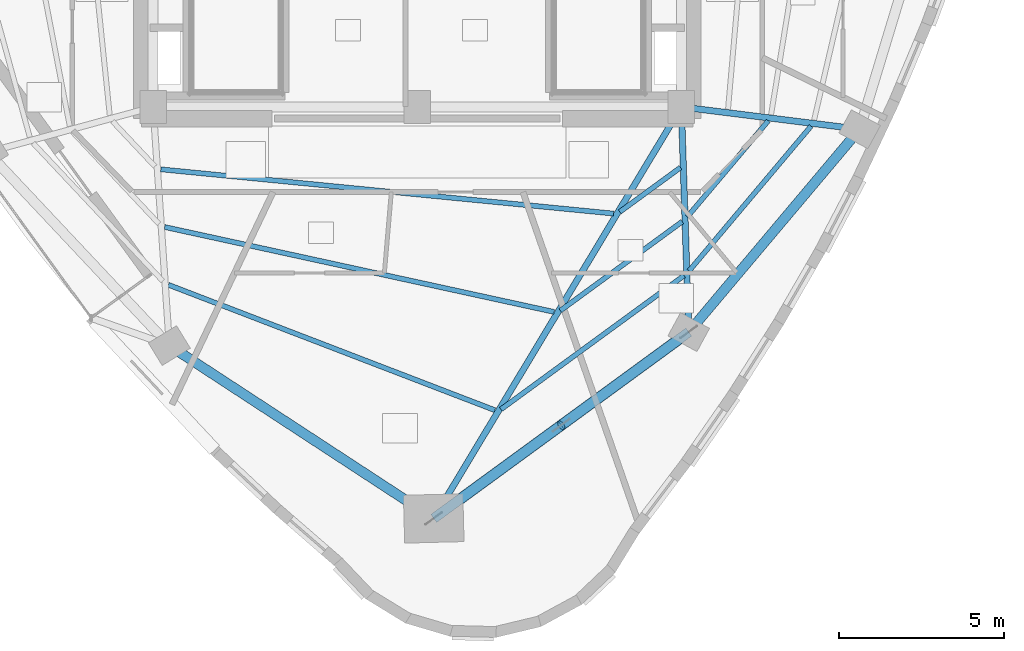
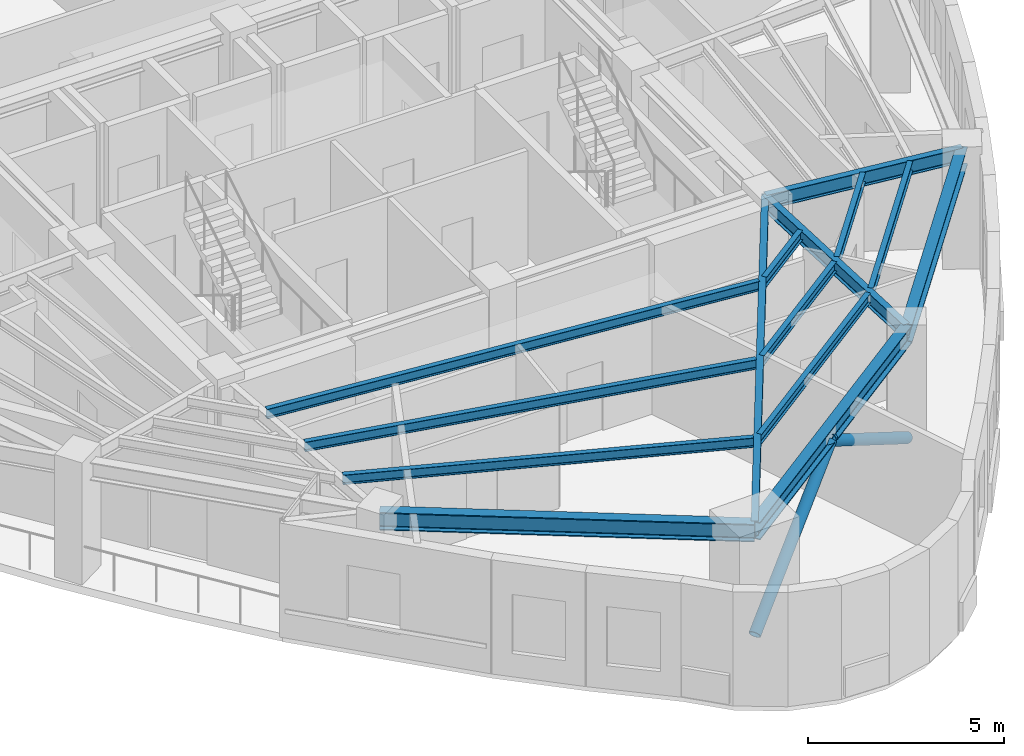
# One storey, part 3 of 13: 14 beams, 2 members.
"""IFC4 building model written with IfcOpenShell, lengths in metres."""

from ifc_helpers import new_model, si_unit, direction, frame, origin, origin_2d, place, context, subcontext, project, spatial, hollow_circle, i_section, extrude, material, material_profile, profile_set, type_object, element, save


model = new_model("IFC4")

# Units and contexts
model_context = context("Model", 3, precision=1e-05, world=origin(), true_north=direction((0.0, 1.0)))
body_context = subcontext(model_context, "Body", "Model", "MODEL_VIEW")
ifc_project = project(units=[si_unit("LENGTHUNIT", "METRE"), si_unit("AREAUNIT", "SQUARE_METRE"), si_unit("VOLUMEUNIT", "CUBIC_METRE"), si_unit("PLANEANGLEUNIT", "RADIAN"), si_unit("MASSUNIT", "GRAM", prefix="KILO")], contexts=[model_context])

# Site, building, storey
site_placement = place(None, origin())
site = spatial("IfcSite", under=ifc_project, at=site_placement, CompositionType="ELEMENT")
building_placement = place(site_placement, origin())
building = spatial("IfcBuilding", under=site, at=building_placement, Name="Ndelora Gate Hotel", CompositionType="ELEMENT")
storey_placement = place(building_placement, frame((0.0, 0.0, 228.35009765625)))
storey = spatial("IfcBuildingStorey", under=building, at=storey_placement, Name="L57", CompositionType="ELEMENT", Elevation=228.35009765625)

# Beams
ifc_material = material(Name="Steel S355", Category="steel")
ifc_material_profile_1 = material_profile(ifc_material, i_section(OverallWidth=0.14990234375, OverallDepth=0.300048828125, WebThickness=0.007080078125, FlangeThickness=0.0107421875, FilletRadius=0.014892578125, at=origin_2d()), Name="IPE 300")
ifc_profile_set_1 = profile_set([ifc_material_profile_1], Name="Steel S355")
beam_type_1 = type_object("IfcBeamType", Name="BM-JST-300", PredefinedType="JOIST", material=ifc_profile_set_1)
beam_1_placement = place(storey_placement, frame((-7.767578125, -8.489501953125, 3.39990234375), z_axis=(0.995253727902, -0.097314012848, 0.0), x_axis=(0.097314012848, 0.995253727902, 0.0)))
element("IfcBeam", 1, at=beam_1_placement, inside=storey, type_object=beam_type_1, Name="L57 Secondary Composite Floor Joist IN-4", PredefinedType="JOIST", context=body_context, shape_type="SweptSolid", body=[
    extrude(i_section(OverallWidth=0.14990234375, OverallDepth=0.300048828125, WebThickness=0.007080078125, FlangeThickness=0.0107421875, FilletRadius=0.014892578125, at=origin_2d()), origin(), (0.0, 0.0, 1.0), 13.7783203125),
])
beam_2_placement = place(storey_placement, frame((-7.651611328125, -10.236572265625, 3.39990234375), z_axis=(0.977032906758, -0.213088477191, 0.0), x_axis=(0.213088477191, 0.977032906758, 0.0)))
element("IfcBeam", 2, at=beam_2_placement, inside=storey, type_object=beam_type_1, Name="L57 Secondary Composite Floor Joist MID-4", PredefinedType="JOIST", context=body_context, shape_type="SweptSolid", body=[
    extrude(i_section(OverallWidth=0.14990234375, OverallDepth=0.300048828125, WebThickness=0.007080078125, FlangeThickness=0.0107421875, FilletRadius=0.014892578125, at=origin_2d()), origin(), (0.0, 0.0, 1.0), 12.075927734375),
])
beam_3_placement = place(storey_placement, frame((-7.5380859375, -11.98681640625, 3.39990234375), z_axis=(0.933489266504, -0.358605339227, 0.0), x_axis=(0.358605339227, 0.933489266504, 0.0)))
element("IfcBeam", 3, at=beam_3_placement, inside=storey, type_object=beam_type_1, Name="L57 Secondary Composite Floor Joist OUT-4", PredefinedType="JOIST", context=body_context, shape_type="SweptSolid", body=[
    extrude(i_section(OverallWidth=0.14990234375, OverallDepth=0.300048828125, WebThickness=0.007080078125, FlangeThickness=0.0107421875, FilletRadius=0.014892578125, at=origin_2d()), origin(), (0.0, 0.0, 1.0), 10.593994140625),
])
beam_4_placement = place(storey_placement, frame((6.134521484375, -9.77880859375, 3.39990234375), z_axis=(0.80739897839, 0.590005838696, 0.0), x_axis=(-0.590005838696, 0.80739897839, 0.0)))
element("IfcBeam", 4, at=beam_4_placement, inside=storey, type_object=beam_type_1, Name="L57 Secondary Composite Floor Joist IN-5", PredefinedType="JOIST", context=body_context, shape_type="SweptSolid", body=[
    extrude(i_section(OverallWidth=0.14990234375, OverallDepth=0.300048828125, WebThickness=0.007080078125, FlangeThickness=0.0107421875, FilletRadius=0.014892578125, at=origin_2d()), origin(), (0.0, 0.0, 1.0), 2.277587890625),
])
beam_5_placement = place(storey_placement, frame((4.33447265625, -12.77001953125, 3.39990234375), z_axis=(0.807439047151, 0.589951002318, 0.0), x_axis=(-0.589951002318, 0.807439047151, 0.0)))
element("IfcBeam", 5, at=beam_5_placement, inside=storey, type_object=beam_type_1, Name="L57 Secondary Composite Floor Joist MID-5", PredefinedType="JOIST", context=body_context, shape_type="SweptSolid", body=[
    extrude(i_section(OverallWidth=0.14990234375, OverallDepth=0.300048828125, WebThickness=0.007080078125, FlangeThickness=0.0107421875, FilletRadius=0.014892578125, at=origin_2d()), origin(), (0.0, 0.0, 1.0), 4.5732421875),
])
beam_6_placement = place(storey_placement, frame((2.5341796875, -15.761474609375, 3.39990234375), z_axis=(0.807430841486, 0.589962232874, 0.0), x_axis=(-0.589962232874, 0.807430841486, 0.0)))
element("IfcBeam", 6, at=beam_6_placement, inside=storey, type_object=beam_type_1, Name="L57 Secondary Composite Floor Joist OUT-5", PredefinedType="JOIST", context=body_context, shape_type="SweptSolid", body=[
    extrude(i_section(OverallWidth=0.14990234375, OverallDepth=0.300048828125, WebThickness=0.007080078125, FlangeThickness=0.0107421875, FilletRadius=0.014892578125, at=origin_2d()), origin(), (0.0, 0.0, 1.0), 6.869384765625),
])
beam_7_placement = place(storey_placement, frame((8.1796875, -9.9296875, 3.39990234375), z_axis=(0.644319387893, 0.764756514444, 0.0), x_axis=(-0.764756514444, 0.644319387893, 0.0)))
element("IfcBeam", 7, at=beam_7_placement, inside=storey, type_object=beam_type_1, Name="L57 Secondary Composite Floor Joist MID-6", PredefinedType="JOIST", context=body_context, shape_type="SweptSolid", body=[
    extrude(i_section(OverallWidth=0.14990234375, OverallDepth=0.300048828125, WebThickness=0.007080078125, FlangeThickness=0.0107421875, FilletRadius=0.014892578125, at=origin_2d()), origin(), (0.0, 0.0, 1.0), 3.806884765625),
])
beam_8_placement = place(storey_placement, frame((8.2333984375, -11.56640625, 3.39990234375), z_axis=(0.644324492463, 0.764752213735, 0.0), x_axis=(-0.764752213735, 0.644324492463, 0.0)))
element("IfcBeam", 8, at=beam_8_placement, inside=storey, type_object=beam_type_1, Name="L57 Secondary Composite Floor Joist OUT-6", PredefinedType="JOIST", context=body_context, shape_type="SweptSolid", body=[
    extrude(i_section(OverallWidth=0.14990234375, OverallDepth=0.300048828125, WebThickness=0.007080078125, FlangeThickness=0.0107421875, FilletRadius=0.014892578125, at=origin_2d()), origin(), (0.0, 0.0, 1.0), 5.735107421875),
])
ifc_material_profile_2 = material_profile(ifc_material, i_section(OverallWidth=0.18994140625, OverallDepth=0.449951171875, WebThickness=0.009521484375, FlangeThickness=0.0146484375, FilletRadius=0.02099609375, at=origin_2d()), Name="IPE 450")
ifc_profile_set_2 = profile_set([ifc_material_profile_2], Name="Steel S355")
beam_type_2 = type_object("IfcBeamType", Name="BM-RAD-450", PredefinedType="BEAM", material=ifc_profile_set_2)
beam_9_placement = place(storey_placement, frame((8.0, -6.60009765625, 3.324951171875), z_axis=(-0.515620753203, -0.856816922607, 0.0), x_axis=(0.856816922607, -0.515620753203, 0.0)))
element("IfcBeam", 9, at=beam_9_placement, inside=storey, type_object=beam_type_2, Name="L57 Radial Floor Girder 5", PredefinedType="BEAM", context=body_context, shape_type="SweptSolid", body=[
    extrude(i_section(OverallWidth=0.18994140625, OverallDepth=0.449951171875, WebThickness=0.009521484375, FlangeThickness=0.0146484375, FilletRadius=0.02099609375, at=origin_2d()), origin(), (0.0, 0.0, 1.0), 14.546875),
])
beam_10_placement = place(storey_placement, frame((8.0, -6.60009765625, 3.324951171875), z_axis=(0.032809705109, -0.999461616697, 0.0), x_axis=(0.999461616697, 0.032809705109, 0.0)))
element("IfcBeam", 10, at=beam_10_placement, inside=storey, type_object=beam_type_2, Name="L57 Radial Floor Girder 6", PredefinedType="BEAM", context=body_context, shape_type="SweptSolid", body=[
    extrude(i_section(OverallWidth=0.18994140625, OverallDepth=0.449951171875, WebThickness=0.009521484375, FlangeThickness=0.0146484375, FilletRadius=0.02099609375, at=origin_2d()), origin(), (0.0, 0.0, 1.0), 6.823486328125),
])
beam_11_placement = place(storey_placement, frame((8.0, -6.60009765625, 3.324951171875), z_axis=(0.992266830725, -0.124123070552, 0.0), x_axis=(0.124123070552, 0.992266830725, 0.0)))
element("IfcBeam", 11, at=beam_11_placement, inside=storey, type_object=beam_type_2, Name="L57 Radial Floor Girder 7", PredefinedType="BEAM", context=body_context, shape_type="SweptSolid", body=[
    extrude(i_section(OverallWidth=0.18994140625, OverallDepth=0.449951171875, WebThickness=0.009521484375, FlangeThickness=0.0146484375, FilletRadius=0.02099609375, at=origin_2d()), origin(), (0.0, 0.0, 1.0), 5.4423828125),
])
ifc_material_profile_3 = material_profile(ifc_material, i_section(OverallWidth=0.300048828125, OverallDepth=0.550048828125, WebThickness=0.014892578125, FlangeThickness=0.029052734375, FilletRadius=0.027099609375, at=origin_2d()), Name="HEB 550")
ifc_profile_set_3 = profile_set([ifc_material_profile_3], Name="Steel S355")
beam_type_3 = type_object("IfcBeamType", Name="BM-RING-550", PredefinedType="SPANDREL", material=ifc_profile_set_3)
beam_12_placement = place(storey_placement, frame((-7.50830078125, -13.828369140625, 3.27490234375), z_axis=(0.836963769915, -0.547258300851, 0.0), x_axis=(0.547258300851, 0.836963769915, 0.0)))
element("IfcBeam", 12, at=beam_12_placement, inside=storey, type_object=beam_type_3, Name="L57 Perimeter Spandrel Girder 4", PredefinedType="SPANDREL", context=body_context, shape_type="SweptSolid", body=[
    extrude(i_section(OverallWidth=0.300048828125, OverallDepth=0.550048828125, WebThickness=0.014892578125, FlangeThickness=0.029052734375, FilletRadius=0.027099609375, at=origin_2d()), origin(), (0.0, 0.0, 1.0), 9.5673828125),
])
beam_13_placement = place(storey_placement, frame((0.499267578125, -19.064208984375, 3.27490234375), z_axis=(0.807421980226, 0.58997436033, 0.0), x_axis=(-0.58997436033, 0.807421980226, 0.0)))
element("IfcBeam", 13, at=beam_13_placement, inside=storey, type_object=beam_type_3, Name="L57 Perimeter Spandrel Girder 5", PredefinedType="SPANDREL", context=body_context, shape_type="SweptSolid", body=[
    extrude(i_section(OverallWidth=0.300048828125, OverallDepth=0.550048828125, WebThickness=0.014892578125, FlangeThickness=0.029052734375, FilletRadius=0.027099609375, at=origin_2d()), origin(), (0.0, 0.0, 1.0), 9.56689453125),
])
beam_14_placement = place(storey_placement, frame((8.223876953125, -13.419921875, 3.27490234375), z_axis=(0.644308845181, 0.764765396721, 0.0), x_axis=(-0.764765396721, 0.644308845181, 0.0)))
element("IfcBeam", 14, at=beam_14_placement, inside=storey, type_object=beam_type_3, Name="L57 Perimeter Spandrel Girder 6", PredefinedType="SPANDREL", context=body_context, shape_type="SweptSolid", body=[
    extrude(i_section(OverallWidth=0.300048828125, OverallDepth=0.550048828125, WebThickness=0.014892578125, FlangeThickness=0.029052734375, FilletRadius=0.027099609375, at=origin_2d()), origin(), (0.0, 0.0, 1.0), 8.0341796875),
])

# Members
ifc_material_profile_4 = material_profile(ifc_material, hollow_circle(Radius=0.161865234375, WallThickness=0.01611328125, at=origin_2d()), Name="CHS 323.9x16")
ifc_profile_set_4 = profile_set([ifc_material_profile_4], Name="Steel S355")
member_type = type_object("IfcMemberType", Name="MB-TUBE-324", PredefinedType="BRACE", material=ifc_profile_set_4)
for number, where, z_axis, x_axis, name in (
    (15, (0.499267578125, -19.064208984375, 0.02001953125), (0.685309419613, 0.500769714964, 0.528753904917), (-0.58999099658, 0.807409824039, 0.0), "L57 Perimeter Braced-Tube Diagonal 5A"),
    (16, (8.223876953125, -13.419921875, 0.02001953125), (-0.685324285825, -0.500737257892, 0.528765375018), (0.58995772333, -0.807434136437, 0.0), "L57 Perimeter Braced-Tube Diagonal 5B"),
):
    element("IfcMember", number, at=place(storey_placement, frame(where, z_axis=z_axis, x_axis=x_axis)), inside=storey, type_object=member_type, Name=name, PredefinedType="BRACE", context=body_context, shape_type="SweptSolid", body=[
        extrude(hollow_circle(Radius=0.161865234375, WallThickness=0.01611328125, at=origin_2d()), origin(), (0.0, 0.0, 1.0), 5.6357421875),
    ])

save(model, "model.ifc")
